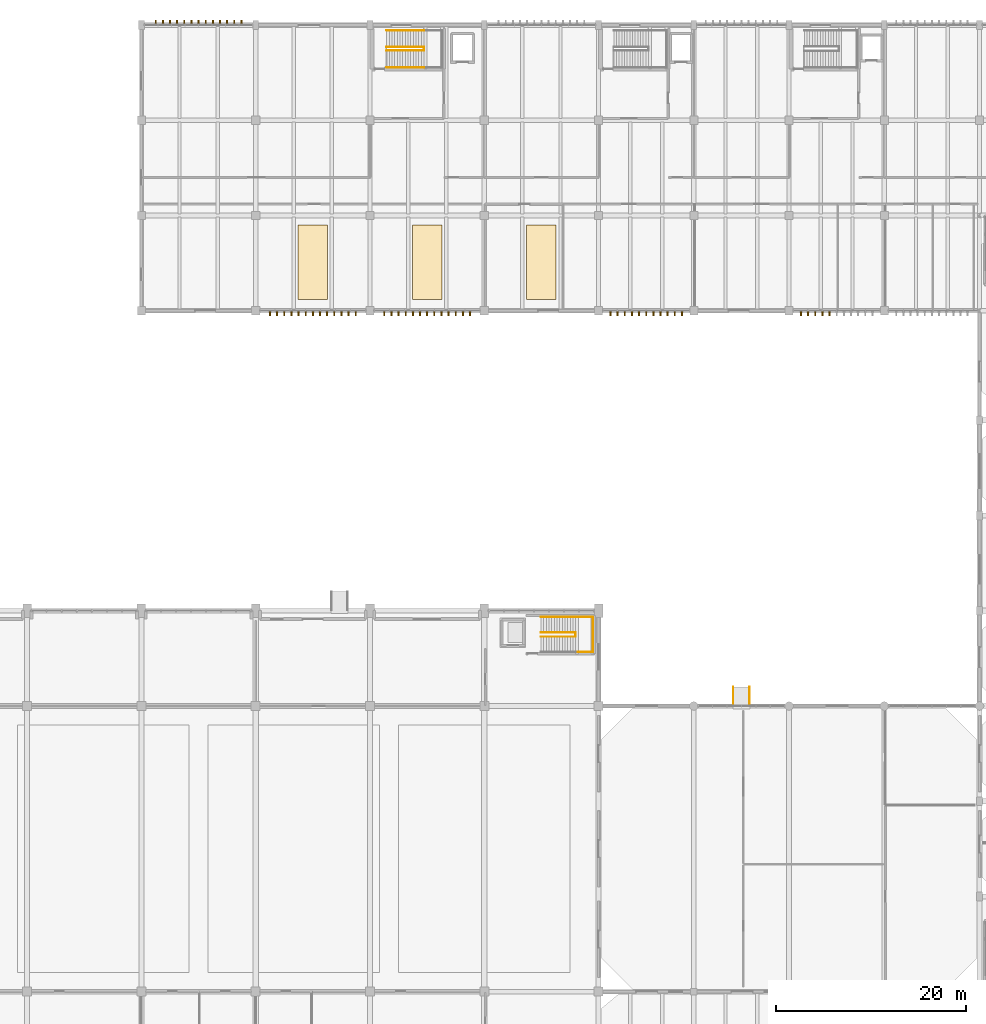
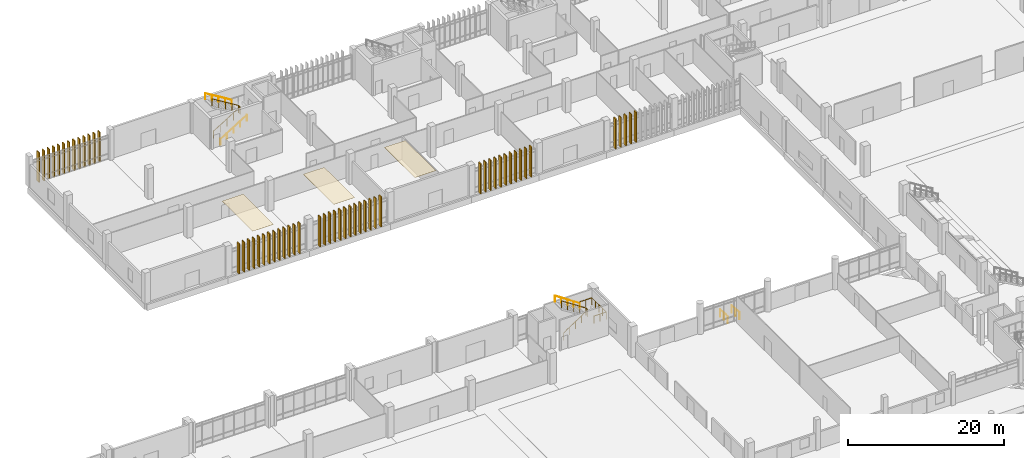
# One storey, part 82 of 87: 55 shading devices, 8 railings, 3 coverings.
"""IFC4 building model written with IfcOpenShell, lengths in metres."""

from ifc_helpers import new_model, si_unit, direction, frame, origin, origin_2d, place, context, subcontext, project, spatial, polyline, rectangle, circle, outline, extrude, material, layer, layer_set, type_object, element, save


model = new_model("IFC4")

# Units and contexts
model_context = context("Model", 3, precision=1e-05, world=origin(), true_north=direction((0.0, 1.0)))
body_context = subcontext(model_context, "Body", "Model", "MODEL_VIEW")
ifc_project = project(units=[si_unit("LENGTHUNIT", "METRE"), si_unit("AREAUNIT", "SQUARE_METRE"), si_unit("VOLUMEUNIT", "CUBIC_METRE"), si_unit("PLANEANGLEUNIT", "RADIAN"), si_unit("MASSUNIT", "GRAM", prefix="KILO")], contexts=[model_context])

# Site, building, storey
site_placement = place(None, origin())
site = spatial("IfcSite", under=ifc_project, at=site_placement, CompositionType="ELEMENT")
building_placement = place(site_placement, origin())
building = spatial("IfcBuilding", under=site, at=building_placement, Name="Mersad Railyard Sports Hall", CompositionType="ELEMENT")
storey_placement = place(building_placement, origin())
storey = spatial("IfcBuildingStorey", under=building, at=storey_placement, Name="L00", CompositionType="ELEMENT", Elevation=0.0)

# Coverings
ifc_material_1 = material(Name="Gypsum plasterboard", Category="gypsum")
ifc_layer = layer(ifc_material_1, 0.02490234375)
ifc_layer_set = layer_set([ifc_layer], Name="Gypsum plasterboard")
covering_type = type_object("IfcCoveringType", Name="ARC-CV-CL01", PredefinedType="CEILING", material=ifc_layer_set)
covering_1_placement = place(storey_placement, frame((0.0, 0.0, 4.47509765625)))
element("IfcCovering", 1, at=covering_1_placement, inside=storey, type_object=covering_type, Name="Acoustic ceiling panel 001", PredefinedType="CEILING", context=body_context, shape_type="SweptSolid", body=[
    extrude(outline(polyline([(59.449951171875, 86.199951171875), (62.550048828125, 86.199951171875), (62.550048828125, 94.0), (59.449951171875, 94.0), (59.449951171875, 86.199951171875)])), origin(), (0.0, 0.0, 1.0), 0.02490234375),
])
covering_2_placement = place(storey_placement, frame((0.0, 0.0, 4.47509765625)))
element("IfcCovering", 2, at=covering_2_placement, inside=storey, type_object=covering_type, Name="Acoustic ceiling panel 002", PredefinedType="CEILING", context=body_context, shape_type="SweptSolid", body=[
    extrude(outline(polyline([(71.449951171875, 86.199951171875), (74.550048828125, 86.199951171875), (74.550048828125, 94.0), (71.449951171875, 94.0), (71.449951171875, 86.199951171875)])), origin(), (0.0, 0.0, 1.0), 0.02490234375),
])
covering_3_placement = place(storey_placement, frame((0.0, 0.0, 4.47509765625)))
element("IfcCovering", 3, at=covering_3_placement, inside=storey, type_object=covering_type, Name="Acoustic ceiling panel 003", PredefinedType="CEILING", context=body_context, shape_type="SweptSolid", body=[
    extrude(outline(polyline([(83.449951171875, 86.199951171875), (86.550048828125, 86.199951171875), (86.550048828125, 94.0), (83.449951171875, 94.0), (83.449951171875, 86.199951171875)])), origin(), (0.0, 0.0, 1.0), 0.02490234375),
])

# Railings
ifc_material_2 = material(Name="Steel S355", Category="steel")
railing_type_1 = type_object("IfcRailingType", Name="ARC-RL-GR01", PredefinedType="GUARDRAIL", material=ifc_material_2)
railing_1_placement = place(storey_placement, frame((68.75, 112.31005859375, 0.0)))
element("IfcRailing", 4, at=railing_1_placement, inside=storey, type_object=railing_type_1, Name="Interior guard GR01-0008", PredefinedType="GUARDRAIL", context=body_context, shape_type="SweptSolid", body=[
    extrude(circle(Radius=0.02392578125, at=origin_2d()), frame((0.0, 0.0, 1.09619140625), z_axis=(0.852856131449, 0.0, 0.522145974847), x_axis=(0.0, 1.0, 0.0)), (0.0, 0.0, 1.0), 4.59619140625),
    extrude(circle(Radius=0.02392578125, at=origin_2d()), frame((3.919921875, 0.0, 3.49609375), z_axis=(0.0, 1.0, 0.0), x_axis=(-1.0, 0.0, 0.0)), (0.0, 0.0, 1.0), 0.3798828125),
    extrude(circle(Radius=0.02392578125, at=origin_2d()), frame((3.919921875, 0.3798828125, 3.49609375), z_axis=(-0.852832477147, 0.0, 0.522184609045), x_axis=(0.0, -1.0, 0.0)), (0.0, 0.0, 1.0), 4.596435546875),
    extrude(circle(Radius=0.02099609375, at=origin_2d()), origin(), (0.0, 0.0, 1.0), 1.072021484375),
    extrude(circle(Radius=0.02099609375, at=origin_2d()), frame((0.97998046875, 0.0, 0.60009765625)), (0.0, 0.0, 1.0), 1.072021484375),
    extrude(circle(Radius=0.02099609375, at=origin_2d()), frame((1.9599609375, 0.0, 1.199951171875)), (0.0, 0.0, 1.0), 1.072021484375),
    extrude(circle(Radius=0.02099609375, at=origin_2d()), frame((2.93994140625, 0.0, 1.7998046875)), (0.0, 0.0, 1.0), 1.072021484375),
    extrude(circle(Radius=0.02099609375, at=origin_2d()), frame((3.919921875, 0.0, 2.39990234375)), (0.0, 0.0, 1.0), 1.072021484375),
    extrude(circle(Radius=0.02099609375, at=origin_2d()), frame((3.919921875, 0.3798828125, 2.39990234375)), (0.0, 0.0, 1.0), 1.072021484375),
    extrude(circle(Radius=0.02099609375, at=origin_2d()), frame((2.93994140625, 0.3798828125, 3.0)), (0.0, 0.0, 1.0), 1.072021484375),
    extrude(circle(Radius=0.02099609375, at=origin_2d()), frame((1.9599609375, 0.3798828125, 3.60009765625)), (0.0, 0.0, 1.0), 1.072021484375),
    extrude(circle(Radius=0.02099609375, at=origin_2d()), frame((0.97998046875, 0.3798828125, 4.199951171875)), (0.0, 0.0, 1.0), 1.072021484375),
    extrude(circle(Radius=0.02099609375, at=origin_2d()), frame((0.0, 0.3798828125, 4.800048828125)), (0.0, 0.0, 1.0), 1.072021484375),
])
railing_2_placement = place(storey_placement, frame((84.949951171875, 50.77001953125, 0.0)))
element("IfcRailing", 5, at=railing_2_placement, inside=storey, type_object=railing_type_1, Name="Interior guard GR01-0133", PredefinedType="GUARDRAIL", context=body_context, shape_type="SweptSolid", body=[
    extrude(circle(Radius=0.02392578125, at=origin_2d()), frame((0.0, 0.0, 1.09619140625), z_axis=(0.83488217925, 0.0, 0.55042869363), x_axis=(0.0, 1.0, 0.0)), (0.0, 0.0, 1.0), 4.360107421875),
    extrude(circle(Radius=0.02392578125, at=origin_2d()), frame((3.64013671875, 0.0, 3.49609375), z_axis=(0.0, 1.0, 0.0), x_axis=(-1.0, 0.0, 0.0)), (0.0, 0.0, 1.0), 0.4599609375),
    extrude(circle(Radius=0.02392578125, at=origin_2d()), frame((3.64013671875, 0.4599609375, 3.49609375), z_axis=(-0.834856447115, 0.0, 0.55046772177), x_axis=(0.0, -1.0, 0.0)), (0.0, 0.0, 1.0), 4.360107421875),
    extrude(circle(Radius=0.02099609375, at=origin_2d()), origin(), (0.0, 0.0, 1.0), 1.072021484375),
    extrude(circle(Radius=0.02099609375, at=origin_2d()), frame((0.91015625, 0.0, 0.60009765625)), (0.0, 0.0, 1.0), 1.072021484375),
    extrude(circle(Radius=0.02099609375, at=origin_2d()), frame((1.820068359375, 0.0, 1.199951171875)), (0.0, 0.0, 1.0), 1.072021484375),
    extrude(circle(Radius=0.02099609375, at=origin_2d()), frame((2.72998046875, 0.0, 1.7998046875)), (0.0, 0.0, 1.0), 1.072021484375),
    extrude(circle(Radius=0.02099609375, at=origin_2d()), frame((3.64013671875, 0.0, 2.39990234375)), (0.0, 0.0, 1.0), 1.072021484375),
    extrude(circle(Radius=0.02099609375, at=origin_2d()), frame((3.64013671875, 0.4599609375, 2.39990234375)), (0.0, 0.0, 1.0), 1.072021484375),
    extrude(circle(Radius=0.02099609375, at=origin_2d()), frame((2.72998046875, 0.4599609375, 3.0)), (0.0, 0.0, 1.0), 1.072021484375),
    extrude(circle(Radius=0.02099609375, at=origin_2d()), frame((1.820068359375, 0.4599609375, 3.60009765625)), (0.0, 0.0, 1.0), 1.072021484375),
    extrude(circle(Radius=0.02099609375, at=origin_2d()), frame((0.91015625, 0.4599609375, 4.199951171875)), (0.0, 0.0, 1.0), 1.072021484375),
    extrude(circle(Radius=0.02099609375, at=origin_2d()), frame((0.0, 0.4599609375, 4.800048828125)), (0.0, 0.0, 1.0), 1.072021484375),
])
railing_3_placement = place(storey_placement, frame((88.590087890625, 49.159912109375, 2.39990234375)))
element("IfcRailing", 6, at=railing_3_placement, inside=storey, type_object=railing_type_1, Name="Interior guard GR01-0134", PredefinedType="GUARDRAIL", context=body_context, shape_type="SweptSolid", body=[
    extrude(circle(Radius=0.02392578125, at=origin_2d()), frame((0.0, 0.0, 1.09619140625), z_axis=(1.0, 0.0, 0.0), x_axis=(0.0, 1.0, 0.0)), (0.0, 0.0, 1.0), 1.7998046875),
    extrude(circle(Radius=0.02392578125, at=origin_2d()), frame((1.7998046875, 0.0, 1.09619140625), z_axis=(0.0, 1.0, 0.0), x_axis=(-1.0, 0.0, 0.0)), (0.0, 0.0, 1.0), 3.68017578125),
    extrude(circle(Radius=0.02392578125, at=origin_2d()), frame((1.7998046875, 3.68017578125, 1.09619140625), z_axis=(-1.0, 0.0, 0.0), x_axis=(0.0, -1.0, 0.0)), (0.0, 0.0, 1.0), 1.7998046875),
    extrude(circle(Radius=0.02099609375, at=origin_2d()), origin(), (0.0, 0.0, 1.0), 1.072021484375),
    extrude(circle(Radius=0.02099609375, at=origin_2d()), frame((0.89990234375, 0.0, 0.0)), (0.0, 0.0, 1.0), 1.072021484375),
    extrude(circle(Radius=0.02099609375, at=origin_2d()), frame((1.7998046875, 0.0, 0.0)), (0.0, 0.0, 1.0), 1.072021484375),
    extrude(circle(Radius=0.02099609375, at=origin_2d()), frame((1.7998046875, 0.919921875, 0.0)), (0.0, 0.0, 1.0), 1.072021484375),
    extrude(circle(Radius=0.02099609375, at=origin_2d()), frame((1.7998046875, 1.840087890625, 0.0)), (0.0, 0.0, 1.0), 1.072021484375),
    extrude(circle(Radius=0.02099609375, at=origin_2d()), frame((1.7998046875, 2.76025390625, 0.0)), (0.0, 0.0, 1.0), 1.072021484375),
    extrude(circle(Radius=0.02099609375, at=origin_2d()), frame((1.7998046875, 3.68017578125, 0.0)), (0.0, 0.0, 1.0), 1.072021484375),
    extrude(circle(Radius=0.02099609375, at=origin_2d()), frame((0.89990234375, 3.68017578125, 0.0)), (0.0, 0.0, 1.0), 1.072021484375),
    extrude(circle(Radius=0.02099609375, at=origin_2d()), frame((0.0, 3.68017578125, 0.0)), (0.0, 0.0, 1.0), 1.072021484375),
])
for number, where, name in (
    (7, (105.139892578125, 45.5, -0.14990234375), "Interior guard GR01-0176"),
    (8, (106.860107421875, 45.5, -0.14990234375), "Interior guard GR01-0177"),
):
    element("IfcRailing", number, at=place(storey_placement, frame(where)), inside=storey, type_object=railing_type_1, Name=name, PredefinedType="GUARDRAIL", context=body_context, shape_type="SweptSolid", body=[
        extrude(circle(Radius=0.02392578125, at=origin_2d()), frame((0.0, 0.0, 1.09619140625), z_axis=(0.0, -0.99743646422, 0.07155766796), x_axis=(1.0, 0.0, 0.0)), (0.0, 0.0, 1.0), 1.955078125),
        extrude(circle(Radius=0.02099609375, at=origin_2d()), origin(), (0.0, 0.0, 1.0), 1.072021484375),
        extrude(circle(Radius=0.02099609375, at=origin_2d()), frame((0.0, -0.97509765625, 0.06982421875)), (0.0, 0.0, 1.0), 1.072021484375),
        extrude(circle(Radius=0.02099609375, at=origin_2d()), frame((0.0, -1.949951171875, 0.139892578125)), (0.0, 0.0, 1.0), 1.072021484375),
    ])
railing_type_2 = type_object("IfcRailingType", Name="ARC-RL-HR01", PredefinedType="HANDRAIL", material=ifc_material_2)
railing_4_placement = place(storey_placement, frame((68.75, 110.56005859375, 0.0)))
element("IfcRailing", 9, at=railing_4_placement, inside=storey, type_object=railing_type_2, Name="Interior handrail HR01-0006", PredefinedType="HANDRAIL", context=body_context, shape_type="SweptSolid", body=[
    extrude(circle(Radius=0.02392578125, at=origin_2d()), frame((0.0, 0.0, 0.89599609375), z_axis=(0.852856131449, 0.0, 0.522145974847), x_axis=(0.0, 1.0, 0.0)), (0.0, 0.0, 1.0), 4.59619140625),
    extrude(circle(Radius=0.02099609375, at=origin_2d()), origin(), (0.0, 0.0, 1.0), 0.871826171875),
    extrude(circle(Radius=0.02099609375, at=origin_2d()), frame((0.97998046875, 0.0, 0.60009765625)), (0.0, 0.0, 1.0), 0.871826171875),
    extrude(circle(Radius=0.02099609375, at=origin_2d()), frame((1.9599609375, 0.0, 1.199951171875)), (0.0, 0.0, 1.0), 0.871826171875),
    extrude(circle(Radius=0.02099609375, at=origin_2d()), frame((2.93994140625, 0.0, 1.7998046875)), (0.0, 0.0, 1.0), 0.871826171875),
    extrude(circle(Radius=0.02099609375, at=origin_2d()), frame((3.919921875, 0.0, 2.39990234375)), (0.0, 0.0, 1.0), 0.871826171875),
])
railing_5_placement = place(storey_placement, frame((72.669921875, 114.43994140625, 2.39990234375)))
element("IfcRailing", 10, at=railing_5_placement, inside=storey, type_object=railing_type_2, Name="Interior handrail HR01-0007", PredefinedType="HANDRAIL", context=body_context, shape_type="SweptSolid", body=[
    extrude(circle(Radius=0.02392578125, at=origin_2d()), frame((0.0, 0.0, 0.89599609375), z_axis=(-0.852832477147, 0.0, 0.522184609045), x_axis=(0.0, -1.0, 0.0)), (0.0, 0.0, 1.0), 4.596435546875),
    extrude(circle(Radius=0.02099609375, at=origin_2d()), origin(), (0.0, 0.0, 1.0), 0.871826171875),
    extrude(circle(Radius=0.02099609375, at=origin_2d()), frame((-0.97998046875, 0.0, 0.60009765625)), (0.0, 0.0, 1.0), 0.871826171875),
    extrude(circle(Radius=0.02099609375, at=origin_2d()), frame((-1.9599609375, 0.0, 1.2001953125)), (0.0, 0.0, 1.0), 0.871826171875),
    extrude(circle(Radius=0.02099609375, at=origin_2d()), frame((-2.93994140625, 0.0, 1.800048828125)), (0.0, 0.0, 1.0), 0.871826171875),
    extrude(circle(Radius=0.02099609375, at=origin_2d()), frame((-3.919921875, 0.0, 2.400146484375)), (0.0, 0.0, 1.0), 0.871826171875),
])
railing_6_placement = place(storey_placement, frame((88.590087890625, 52.840087890625, 2.39990234375)))
element("IfcRailing", 11, at=railing_6_placement, inside=storey, type_object=railing_type_2, Name="Interior handrail HR01-0132", PredefinedType="HANDRAIL", context=body_context, shape_type="SweptSolid", body=[
    extrude(circle(Radius=0.02392578125, at=origin_2d()), frame((0.0, 0.0, 0.89599609375), z_axis=(-0.834856447115, 0.0, 0.55046772177), x_axis=(0.0, -1.0, 0.0)), (0.0, 0.0, 1.0), 4.360107421875),
    extrude(circle(Radius=0.02099609375, at=origin_2d()), origin(), (0.0, 0.0, 1.0), 0.871826171875),
    extrude(circle(Radius=0.02099609375, at=origin_2d()), frame((-0.91015625, 0.0, 0.60009765625)), (0.0, 0.0, 1.0), 0.871826171875),
    extrude(circle(Radius=0.02099609375, at=origin_2d()), frame((-1.820068359375, 0.0, 1.2001953125)), (0.0, 0.0, 1.0), 0.871826171875),
    extrude(circle(Radius=0.02099609375, at=origin_2d()), frame((-2.72998046875, 0.0, 1.800048828125)), (0.0, 0.0, 1.0), 0.871826171875),
    extrude(circle(Radius=0.02099609375, at=origin_2d()), frame((-3.64013671875, 0.0, 2.400146484375)), (0.0, 0.0, 1.0), 0.871826171875),
])

# Shading devices
ifc_material_3 = material(Name="Precast concrete C45/55", Category="concrete")
shading_device_type = type_object("IfcShadingDeviceType", Name="ARC-SH-FN01", PredefinedType="USERDEFINED", material=ifc_material_3)
for number, where, z_axis, x_axis, name in (
    (12, (44.5, 115.25, -0.10009765625), (0.0, 0.0, 1.0), (1.0, 0.0, 0.0), "Precast sun fin FN01-0001"),
    (13, (45.25, 115.25, -0.10009765625), (0.0, 0.0, 1.0), (1.0, 0.0, 0.0), "Precast sun fin FN01-0002"),
    (14, (46.0, 115.25, -0.10009765625), (0.0, 0.0, 1.0), (1.0, 0.0, 0.0), "Precast sun fin FN01-0003"),
    (15, (46.75, 115.25, -0.10009765625), (0.0, 0.0, 1.0), (1.0, 0.0, 0.0), "Precast sun fin FN01-0004"),
    (16, (47.5, 115.25, -0.10009765625), (0.0, 0.0, 1.0), (1.0, 0.0, 0.0), "Precast sun fin FN01-0005"),
    (17, (48.25, 115.25, -0.10009765625), (0.0, 0.0, 1.0), (1.0, 0.0, 0.0), "Precast sun fin FN01-0006"),
    (18, (49.0, 115.25, -0.10009765625), (0.0, 0.0, 1.0), (1.0, 0.0, 0.0), "Precast sun fin FN01-0007"),
    (19, (49.75, 115.25, -0.10009765625), (0.0, 0.0, 1.0), (1.0, 0.0, 0.0), "Precast sun fin FN01-0008"),
    (20, (50.5, 115.25, -0.10009765625), (0.0, 0.0, 1.0), (1.0, 0.0, 0.0), "Precast sun fin FN01-0009"),
    (21, (51.25, 115.25, -0.10009765625), (0.0, 0.0, 1.0), (1.0, 0.0, 0.0), "Precast sun fin FN01-0010"),
    (22, (52.0, 115.25, -0.10009765625), (0.0, 0.0, 1.0), (1.0, 0.0, 0.0), "Precast sun fin FN01-0011"),
    (23, (52.75, 115.25, -0.10009765625), (0.0, 0.0, 1.0), (1.0, 0.0, 0.0), "Precast sun fin FN01-0012"),
    (24, (53.5, 115.25, -0.10009765625), (0.0, 0.0, 1.0), (1.0, 0.0, 0.0), "Precast sun fin FN01-0013"),
    (25, (56.5, 84.75, -0.10009765625), (0.0, 0.0, 1.0), (1.0, 0.0, 0.0), "Precast sun fin FN01-0072"),
    (26, (57.25, 84.75, -0.10009765625), (0.0, 0.0, 1.0), (1.0, 0.0, 0.0), "Precast sun fin FN01-0073"),
    (27, (58.0, 84.75, -0.10009765625), (0.0, 0.0, 1.0), (1.0, 0.0, 0.0), "Precast sun fin FN01-0074"),
    (28, (58.75, 84.75, -0.10009765625), (0.0, 0.0, 1.0), (1.0, 0.0, 0.0), "Precast sun fin FN01-0075"),
    (29, (59.5, 84.75, -0.10009765625), (0.0, 0.0, 1.0), (1.0, 0.0, 0.0), "Precast sun fin FN01-0076"),
    (30, (60.25, 84.75, -0.10009765625), (0.0, 0.0, 1.0), (1.0, 0.0, 0.0), "Precast sun fin FN01-0077"),
    (31, (61.0, 84.75, -0.10009765625), (0.0, 0.0, 1.0), (1.0, 0.0, 0.0), "Precast sun fin FN01-0078"),
    (32, (61.75, 84.75, -0.10009765625), (0.0, 0.0, 1.0), (1.0, 0.0, 0.0), "Precast sun fin FN01-0079"),
    (33, (62.5, 84.75, -0.10009765625), (0.0, 0.0, 1.0), (1.0, 0.0, 0.0), "Precast sun fin FN01-0080"),
    (34, (63.25, 84.75, -0.10009765625), (0.0, 0.0, 1.0), (1.0, 0.0, 0.0), "Precast sun fin FN01-0081"),
    (35, (64.0, 84.75, -0.10009765625), (0.0, 0.0, 1.0), (1.0, 0.0, 0.0), "Precast sun fin FN01-0082"),
    (36, (64.75, 84.75, -0.10009765625), (0.0, 0.0, 1.0), (1.0, 0.0, 0.0), "Precast sun fin FN01-0083"),
    (37, (65.5, 84.75, -0.10009765625), (0.0, 0.0, 1.0), (1.0, 0.0, 0.0), "Precast sun fin FN01-0084"),
    (38, (68.5, 84.75, -0.10009765625), (0.0, 0.0, 1.0), (1.0, 0.0, 0.0), "Precast sun fin FN01-0085"),
    (39, (69.25, 84.75, -0.10009765625), (0.0, 0.0, 1.0), (1.0, 0.0, 0.0), "Precast sun fin FN01-0086"),
    (40, (70.0, 84.75, -0.10009765625), (0.0, 0.0, 1.0), (1.0, 0.0, 0.0), "Precast sun fin FN01-0087"),
    (41, (70.75, 84.75, -0.10009765625), (0.0, 0.0, 1.0), (1.0, 0.0, 0.0), "Precast sun fin FN01-0088"),
    (42, (71.5, 84.75, -0.10009765625), (0.0, 0.0, 1.0), (1.0, 0.0, 0.0), "Precast sun fin FN01-0089"),
    (43, (72.25, 84.75, -0.10009765625), (0.0, 0.0, 1.0), (1.0, 0.0, 0.0), "Precast sun fin FN01-0090"),
    (44, (73.0, 84.75, -0.10009765625), (0.0, 0.0, 1.0), (1.0, 0.0, 0.0), "Precast sun fin FN01-0091"),
    (45, (73.75, 84.75, -0.10009765625), (0.0, 0.0, 1.0), (1.0, 0.0, 0.0), "Precast sun fin FN01-0092"),
    (46, (74.5, 84.75, -0.10009765625), (0.0, 0.0, 1.0), (1.0, 0.0, 0.0), "Precast sun fin FN01-0093"),
    (47, (75.25, 84.75, -0.10009765625), (0.0, 0.0, 1.0), (1.0, 0.0, 0.0), "Precast sun fin FN01-0094"),
    (48, (76.0, 84.75, -0.10009765625), (0.0, 0.0, 1.0), (1.0, 0.0, 0.0), "Precast sun fin FN01-0095"),
    (49, (76.75, 84.75, -0.10009765625), (0.0, 0.0, 1.0), (1.0, 0.0, 0.0), "Precast sun fin FN01-0096"),
    (50, (77.5, 84.75, -0.10009765625), (0.0, 0.0, 1.0), (1.0, 0.0, 0.0), "Precast sun fin FN01-0097"),
    (51, (92.25, 84.75, -0.10009765625), (0.0, 0.0, 1.0), (1.0, 0.0, 0.0), "Precast sun fin FN01-0098"),
    (52, (93.0, 84.75, -0.10009765625), (0.0, 0.0, 1.0), (1.0, 0.0, 0.0), "Precast sun fin FN01-0099"),
    (53, (93.75, 84.75, -0.10009765625), (0.0, 0.0, 1.0), (1.0, 0.0, 0.0), "Precast sun fin FN01-0100"),
    (54, (94.5, 84.75, -0.10009765625), (0.0, 0.0, 1.0), (1.0, 0.0, 0.0), "Precast sun fin FN01-0101"),
    (55, (95.25, 84.75, -0.10009765625), (0.0, 0.0, 1.0), (1.0, 0.0, 0.0), "Precast sun fin FN01-0102"),
    (56, (96.0, 84.75, -0.10009765625), (0.0, 0.0, 1.0), (1.0, 0.0, 0.0), "Precast sun fin FN01-0103"),
    (57, (96.75, 84.75, -0.10009765625), (0.0, 0.0, 1.0), (1.0, 0.0, 0.0), "Precast sun fin FN01-0104"),
    (58, (97.5, 84.75, -0.10009765625), (0.0, 0.0, 1.0), (1.0, 0.0, 0.0), "Precast sun fin FN01-0105"),
    (59, (98.25, 84.75, -0.10009765625), (0.0, 0.0, 1.0), (1.0, 0.0, 0.0), "Precast sun fin FN01-0106"),
    (60, (99.0, 84.75, -0.10009765625), (0.0, 0.0, 1.0), (1.0, 0.0, 0.0), "Precast sun fin FN01-0107"),
    (61, (99.75, 84.75, -0.10009765625), (0.0, 0.0, 1.0), (1.0, 0.0, 0.0), "Precast sun fin FN01-0108"),
    (62, (112.25, 84.75, -0.10009765625), (0.0, 0.0, 1.0), (1.0, 0.0, 0.0), "Precast sun fin FN01-0109"),
    (63, (113.0, 84.75, -0.10009765625), (0.0, 0.0, 1.0), (1.0, 0.0, 0.0), "Precast sun fin FN01-0110"),
    (64, (113.75, 84.75, -0.10009765625), (0.0, 0.0, 1.0), (1.0, 0.0, 0.0), "Precast sun fin FN01-0111"),
    (65, (114.5, 84.75, -0.10009765625), (0.0, 0.0, 1.0), (1.0, 0.0, 0.0), "Precast sun fin FN01-0112"),
    (66, (115.25, 84.75, -0.10009765625), (0.0, 0.0, 1.0), (1.0, 0.0, 0.0), "Precast sun fin FN01-0113"),
):
    element("IfcShadingDevice", number, at=place(storey_placement, frame(where, z_axis=z_axis, x_axis=x_axis)), inside=storey, type_object=shading_device_type, Name=name, ObjectType="FIN", PredefinedType="USERDEFINED", context=body_context, shape_type="SweptSolid", body=[
        extrude(rectangle(XDim=0.139892578125, YDim=0.550048828125, at=origin_2d()), origin(), (0.0, 0.0, 1.0), 4.699951171875),
    ])

save(model, "model.ifc")
